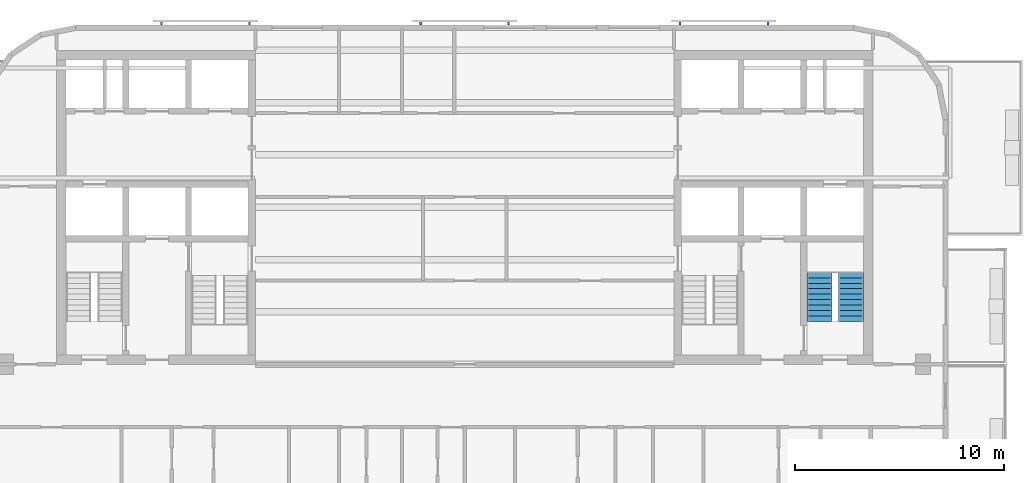
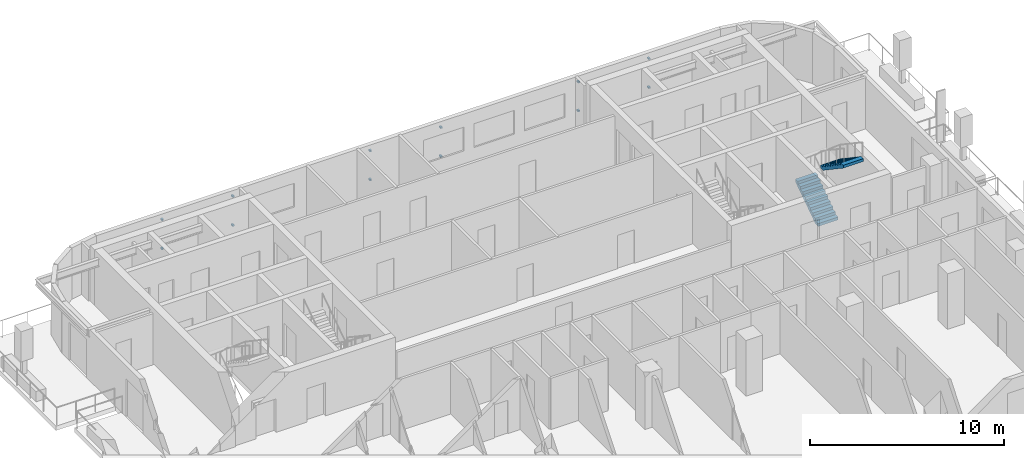
# One storey, part 8 of 11: 12 discrete accessories, 2 stair flights, 1 element without a shape of its own.
"""IFC4 building model written with IfcOpenShell, lengths in metres."""

from ifc_helpers import new_model, si_unit, direction, frame, origin, origin_2d, place, context, subcontext, project, spatial, polyline, rectangle, outline, extrude, material, type_object, element, aggregate, save


model = new_model("IFC4")

# Units and contexts
model_context = context("Model", 3, precision=1e-05, world=origin(), true_north=direction((0.0, 1.0)))
body_context = subcontext(model_context, "Body", "Model", "MODEL_VIEW")
ifc_project = project(units=[si_unit("LENGTHUNIT", "METRE"), si_unit("AREAUNIT", "SQUARE_METRE"), si_unit("VOLUMEUNIT", "CUBIC_METRE"), si_unit("PLANEANGLEUNIT", "RADIAN"), si_unit("MASSUNIT", "GRAM", prefix="KILO")], contexts=[model_context])

# Site, building, storey
site_placement = place(None, origin())
site = spatial("IfcSite", under=ifc_project, at=site_placement, CompositionType="ELEMENT")
building_placement = place(site_placement, origin())
building = spatial("IfcBuilding", under=site, at=building_placement, Name="Torana Hotel and Residences", CompositionType="ELEMENT")
storey_placement = place(building_placement, frame((0.0, 0.0, 298.10009765625)))
storey = spatial("IfcBuildingStorey", under=building, at=storey_placement, Name="L79", CompositionType="ELEMENT", Elevation=298.10009765625)

# Stair, stair flights
ifc_material_1 = material(Name="Concrete C40/50 precast", Category="concrete")
stair_type = type_object("IfcStairType", Name="STAIR ST4 HALF TURN 1200", PredefinedType="HALF_TURN_STAIR", material=ifc_material_1)
stair_placement = place(storey_placement, origin())
stair = element("IfcStair", 1, at=stair_placement, inside=storey, type_object=stair_type, Name="Stair ST4 L79", PredefinedType="HALF_TURN_STAIR")
ifc_material_2 = material(Name="Concrete C40/50 precast", Category="concrete")
stair_flight_type = type_object("IfcStairFlightType", Name="STAIR FLIGHT 1200 PRECAST", PredefinedType="STRAIGHT", material=ifc_material_2)
stair_flight_1_placement = place(storey_placement, frame((16.949951171875, -12.949951171875, 0.0), z_axis=(0.0, 0.0, 1.0), x_axis=(0.0, 1.0, 0.0)))
stair_flight_1 = element("IfcStairFlight", 2, at=stair_flight_1_placement, type_object=stair_flight_type, Name="ST4 flight 1", NumberOfRisers=10, NumberOfTreads=9, PredefinedType="STRAIGHT", RiserHeight=0.175, TreadLength=0.26, context=body_context, shape_type="SweptSolid", body=[
    extrude(outline(polyline([(0.0, 0.0), (0.0, 0.175048828125), (0.260009765625, 0.175048828125), (0.260009765625, 0.35009765625), (0.52001953125, 0.35009765625), (0.52001953125, 0.52490234375), (0.780029296875, 0.52490234375), (0.780029296875, 0.699951171875), (1.0400390625, 0.699951171875), (1.0400390625, 0.875), (1.300048828125, 0.875), (1.300048828125, 1.050048828125), (1.56005859375, 1.050048828125), (1.56005859375, 1.22509765625), (1.820068359375, 1.22509765625), (1.820068359375, 1.39990234375), (2.080078125, 1.39990234375), (2.080078125, 1.574951171875), (2.340087890625, 1.574951171875), (2.340087890625, 1.75), (2.340087890625, 1.394287109375), (0.2685546875, 0.0), (0.0, 0.0)])), frame((0.0, 0.60009765625, 0.0), z_axis=(0.0, -1.0, 0.0), x_axis=(1.0, 0.0, 0.0)), (0.0, 0.0, 1.0), 1.199951171875),
])
stair_flight_2_placement = place(storey_placement, frame((18.449951171875, -10.610107421875, 1.75), z_axis=(0.0, 0.0, 1.0), x_axis=(0.0, -1.0, 0.0)))
stair_flight_2 = element("IfcStairFlight", 3, at=stair_flight_2_placement, type_object=stair_flight_type, Name="ST4 flight 2", NumberOfRisers=10, NumberOfTreads=9, PredefinedType="STRAIGHT", RiserHeight=0.175, TreadLength=0.26, context=body_context, shape_type="SweptSolid", body=[
    extrude(outline(polyline([(0.0, 0.0), (0.0, 0.175048828125), (0.260009765625, 0.175048828125), (0.260009765625, 0.35009765625), (0.52001953125, 0.35009765625), (0.52001953125, 0.52490234375), (0.780029296875, 0.52490234375), (0.780029296875, 0.699951171875), (1.0400390625, 0.699951171875), (1.0400390625, 0.875), (1.300048828125, 0.875), (1.300048828125, 1.050048828125), (1.56005859375, 1.050048828125), (1.56005859375, 1.22509765625), (1.820068359375, 1.22509765625), (1.820068359375, 1.39990234375), (2.080078125, 1.39990234375), (2.080078125, 1.574951171875), (2.340087890625, 1.574951171875), (2.340087890625, 1.75), (2.340087890625, 1.394287109375), (0.2685546875, 0.0), (0.0, 0.0)])), frame((0.0, 0.60009765625, 0.0), z_axis=(0.0, -1.0, 0.0), x_axis=(1.0, 0.0, 0.0)), (0.0, 0.0, 1.0), 1.199951171875),
])
aggregate(stair, [stair_flight_1, stair_flight_2])

# Discrete accessories
ifc_material_3 = material(Name="Steel S355", Category="steel")
discrete_accessory_type = type_object("IfcDiscreteAccessoryType", Name="SCREEN BRACKET 100", PredefinedType="BRACKET", material=ifc_material_3)
for number, where, z_axis, x_axis, name in (
    (4, (14.483642578125, 1.27490234375, 0.749755859375), (0.0, 0.0, 1.0), (-1.0, 0.0, 0.0), "Screen bracket L79"),
    (5, (14.483642578125, 1.27490234375, 2.56982421875), (0.0, 0.0, 1.0), (-1.0, 0.0, 0.0), "Screen bracket L79"),
    (6, (10.28369140625, 1.27490234375, 0.749755859375), (0.0, 0.0, 1.0), (-1.0, 0.0, 0.0), "Screen bracket L79"),
    (7, (10.28369140625, 1.27490234375, 2.56982421875), (0.0, 0.0, 1.0), (-1.0, 0.0, 0.0), "Screen bracket L79"),
    (8, (2.10009765625, 1.27490234375, 0.749755859375), (0.0, 0.0, 1.0), (-1.0, 0.0, 0.0), "Screen bracket L79"),
    (9, (2.10009765625, 1.27490234375, 2.56982421875), (0.0, 0.0, 1.0), (-1.0, 0.0, 0.0), "Screen bracket L79"),
    (10, (-2.10009765625, 1.27490234375, 0.749755859375), (0.0, 0.0, 1.0), (-1.0, 0.0, 0.0), "Screen bracket L79"),
    (11, (-2.10009765625, 1.27490234375, 2.56982421875), (0.0, 0.0, 1.0), (-1.0, 0.0, 0.0), "Screen bracket L79"),
    (12, (-10.28369140625, 1.27490234375, 0.749755859375), (0.0, 0.0, 1.0), (-1.0, 0.0, 0.0), "Screen bracket L79"),
    (13, (-10.28369140625, 1.27490234375, 2.56982421875), (0.0, 0.0, 1.0), (-1.0, 0.0, 0.0), "Screen bracket L79"),
    (14, (-14.483642578125, 1.27490234375, 0.749755859375), (0.0, 0.0, 1.0), (-1.0, 0.0, 0.0), "Screen bracket L79"),
    (15, (-14.483642578125, 1.27490234375, 2.56982421875), (0.0, 0.0, 1.0), (-1.0, 0.0, 0.0), "Screen bracket L79"),
):
    element("IfcDiscreteAccessory", number, at=place(storey_placement, frame(where, z_axis=z_axis, x_axis=x_axis)), inside=storey, type_object=discrete_accessory_type, Name=name, PredefinedType="BRACKET", context=body_context, shape_type="SweptSolid", body=[
        extrude(rectangle(XDim=0.10009765625, YDim=0.14990234375, at=origin_2d()), origin(), (0.0, 0.0, 1.0), 0.10009765625),
    ])

save(model, "model.ifc")
